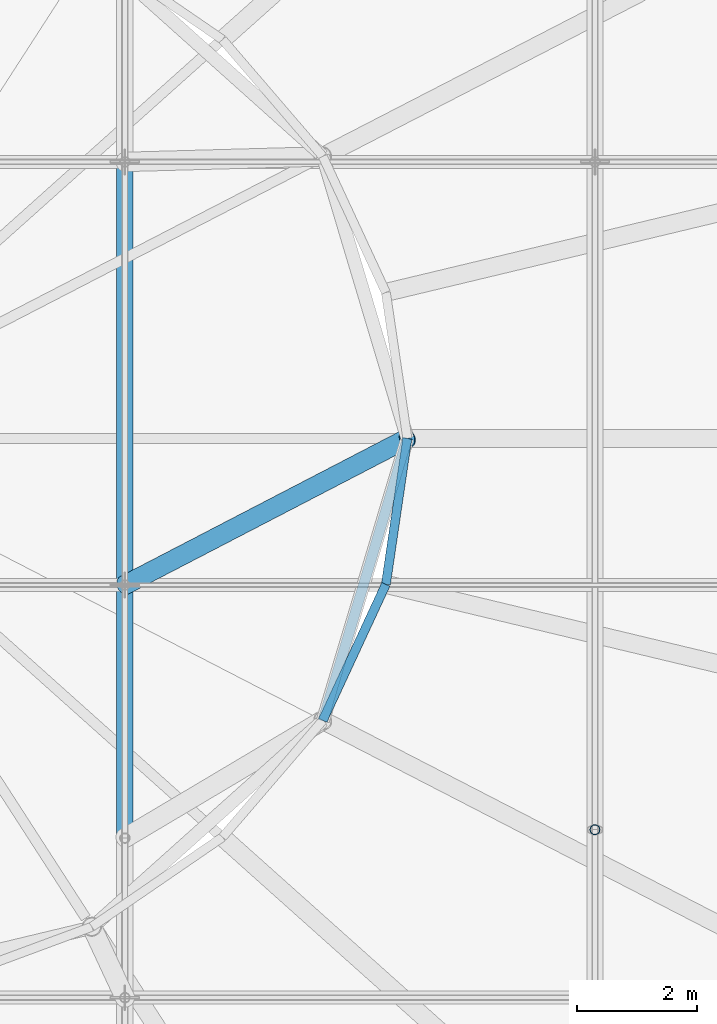
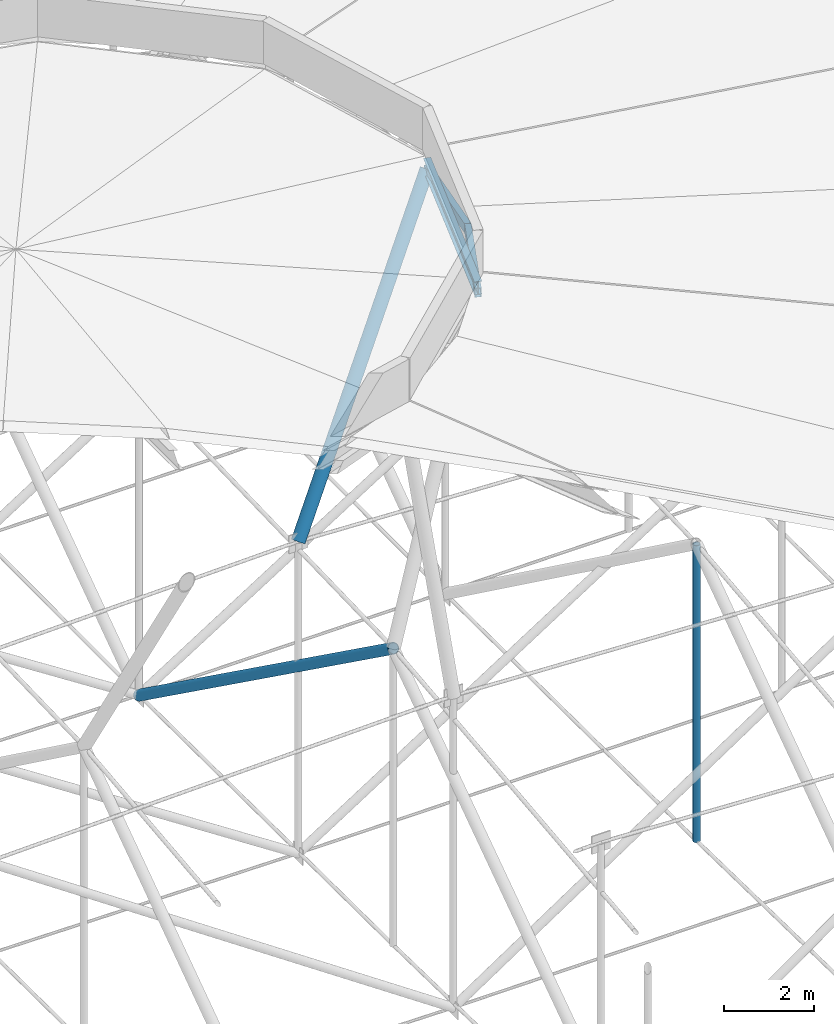
# One storey, part 57 of 173: 5 members, 1 beam.
"""IFC4 building model written with IfcOpenShell, lengths in metres."""

import ifcopenshell
import ifcopenshell.guid

model = None  # the IFC model being written
_history = None  # IfcOwnerHistory: only IFC2X3 demands one
_inside = {}  # id of a spatial element -> (the spatial element, [elements in it])
_under = {}  # id of a project, library or spatial element -> (it, [spatial elements below it])
_declared = {}  # id of a project -> (the project, [libraries it declares])
_typed = {}  # id of a type object -> (the type object, [elements of that type])
_made_of = {}  # id of a material, layer set ... -> (it, [elements and type objects made of it])


def new_model(schema):
    """Start an empty IFC model of exactly this schema.

    Asked for "IFC4X3", IfcOpenShell would pick the latest addendum, in which some entities
    have other attributes; the version numbers below select the first issue.
    IFC2X3 requires an IfcOwnerHistory on every rooted entity: one is made here for all.
    """
    global model, _history
    if schema == "IFC4X3":
        model = ifcopenshell.file(schema_version=(4, 3, 0, 0))
    else:
        model = ifcopenshell.file(schema=schema)
    _inside.clear()
    _under.clear()
    _declared.clear()
    _typed.clear()
    _made_of.clear()
    _history = None
    if model.schema == "IFC2X3":
        org = make("IfcOrganization", Name="unknown")
        user = make(
            "IfcPersonAndOrganization",
            ThePerson=make("IfcPerson", FamilyName="unknown"),
            TheOrganization=org,
        )
        app = make(
            "IfcApplication",
            ApplicationDeveloper=org,
            Version="unknown",
            ApplicationFullName="unknown",
            ApplicationIdentifier="unknown",
        )
        _history = make(
            "IfcOwnerHistory",
            OwningUser=user,
            OwningApplication=app,
            ChangeAction="ADDED",
            CreationDate=0,
        )
    return model


def make(cls, **values):
    """One entity of the class cls with the attributes given. An attribute that is None is left unset."""
    return model.create_entity(
        cls, **{name: value for name, value in values.items() if value is not None}
    )


def rooted(cls, **values):
    """An entity with a GlobalId (a new one), such as an element, a storey or a relation."""
    return make(cls, GlobalId=ifcopenshell.guid.new(), OwnerHistory=_history, **values)


def si_unit(unit_type, name, prefix=None):
    """IfcSIUnit, for example si_unit("LENGTHUNIT", "METRE", prefix="MILLI")."""
    return make("IfcSIUnit", UnitType=unit_type, Prefix=prefix, Name=name)


def assignment(units):
    """IfcUnitAssignment: the units of a project."""
    return None if units is None else make("IfcUnitAssignment", Units=units)


def point(xyz):
    """IfcCartesianPoint."""
    return None if xyz is None else make("IfcCartesianPoint", Coordinates=xyz)


def direction(xyz):
    """IfcDirection."""
    return None if xyz is None else make("IfcDirection", DirectionRatios=xyz)


def frame(location, z_axis=None, x_axis=None):
    """IfcAxis2Placement3D, a coordinate frame: its origin and axes. An axis left out is left unset."""
    return make(
        "IfcAxis2Placement3D",
        Location=point(location),
        Axis=direction(z_axis),
        RefDirection=direction(x_axis),
    )


def frame_2d(location, x_axis=None):
    """IfcAxis2Placement2D, a coordinate frame in the plane: its origin and x axis."""
    return make(
        "IfcAxis2Placement2D", Location=point(location), RefDirection=direction(x_axis)
    )


def origin():
    """The frame at (0, 0, 0) with its axes left unset."""
    return frame((0.0, 0.0, 0.0))


def origin_2d():
    """The frame at (0, 0) in the plane with its x axis left unset."""
    return frame_2d((0.0, 0.0))


def place(relative_to, where):
    """IfcLocalPlacement: puts the frame where relative to a parent placement (None: the world)."""
    return make(
        "IfcLocalPlacement", PlacementRelTo=relative_to, RelativePlacement=where
    )


def context(
    kind, dimensions, precision=None, world=None, true_north=None, identifier=None
):
    """IfcGeometricRepresentationContext, for example the 3D "Model" context."""
    return make(
        "IfcGeometricRepresentationContext",
        ContextIdentifier=identifier,
        ContextType=kind,
        CoordinateSpaceDimension=dimensions,
        Precision=precision,
        WorldCoordinateSystem=world,
        TrueNorth=true_north,
    )


def subcontext(parent, identifier, kind, view, scale=None):
    """IfcGeometricRepresentationSubContext, for example "Body" below "Model"."""
    return make(
        "IfcGeometricRepresentationSubContext",
        ContextIdentifier=identifier,
        ContextType=kind,
        ParentContext=parent,
        TargetScale=scale,
        TargetView=view,
    )


def project(units=None, contexts=None):
    """IfcProject with its units and contexts."""
    return rooted(
        "IfcProject",
        Name="project",
        RepresentationContexts=contexts,
        UnitsInContext=assignment(units),
    )


def spatial(cls, under=None, at=None, **own):
    """A site, building, storey or space (cls), placed at a placement, below another one or the project."""
    s = rooted(cls, ObjectPlacement=at, **own)
    if under is not None:
        _under.setdefault(under.id(), (under, []))[1].append(s)
    return s


def profile(cls, at=None, kind="AREA", **sizes):
    """A parametric profile (cls). Its sizes go by their IFC names, for example OverallWidth=200.0."""
    return make(cls, ProfileType=kind, Position=at, **sizes)


def hollow_rectangle(**sizes):
    """IfcRectangleHollowProfileDef."""
    return profile("IfcRectangleHollowProfileDef", **sizes)


def hollow_circle(**sizes):
    """IfcCircleHollowProfileDef."""
    return profile("IfcCircleHollowProfileDef", **sizes)


def i_section(**sizes):
    """IfcIShapeProfileDef."""
    return profile("IfcIShapeProfileDef", **sizes)


def extrude(swept, where, along, depth):
    """IfcExtrudedAreaSolid: the profile swept, set in the frame where, extruded along a direction by depth."""
    return make(
        "IfcExtrudedAreaSolid",
        SweptArea=swept,
        Position=where,
        ExtrudedDirection=direction(along),
        Depth=depth,
    )


def shape(context_of_items, identifier, shape_type, items):
    """IfcShapeRepresentation: the items that make up one representation, for example the "Body"."""
    return make(
        "IfcShapeRepresentation",
        ContextOfItems=context_of_items,
        RepresentationIdentifier=identifier,
        RepresentationType=shape_type,
        Items=items,
    )


def material(Name=None, Category=None):
    """IfcMaterial."""
    return make("IfcMaterial", Name=Name, Category=Category)


def material_profile(
    of_material, cross_section, Name=None, Category=None, Priority=None
):
    """IfcMaterialProfile: a cross section and its material."""
    return make(
        "IfcMaterialProfile",
        Name=Name,
        Material=of_material,
        Profile=cross_section,
        Priority=Priority,
        Category=Category,
    )


def profile_set(profiles, Name=None, composite=None):
    """IfcMaterialProfileSet."""
    return make(
        "IfcMaterialProfileSet",
        Name=Name,
        MaterialProfiles=profiles,
        CompositeProfile=composite,
    )


def made_of(thing, what):
    """Note that an element or type object is made of a material, layer set ...; save() writes the relation."""
    if what is not None:
        _made_of.setdefault(what.id(), (what, []))[1].append(thing)
    return thing


def type_object(cls, material=None, **own):
    """A type object (cls), such as IfcWallType, which elements share."""
    return made_of(rooted(cls, **own), material)


def element(
    cls,
    number,
    at=None,
    inside=None,
    cuts=None,
    type_object=None,
    material=None,
    context=None,
    identifier="Body",
    shape_type=None,
    held_by="IfcProductDefinitionShape",
    body=None,
    shapes=None,
    **own,
):
    """One element of the class cls, such as IfcWall. Its Tag is "e" and its number.

    at: its placement. inside: the storey or other place that contains it. cuts: it is an
    opening in that element (IfcRelVoidsElement). A single representation is given by context,
    identifier, shape_type and body (its items); several are given by shapes. held_by: the class
    of the entity that holds the representations. save() writes the other relations.
    """
    e = rooted(cls, Tag="e%d" % number, ObjectPlacement=at, **own)
    if body is not None:
        shapes = [shape(context, identifier, shape_type, body)]
    if shapes is not None:
        e.Representation = make(held_by, Representations=shapes)
    if inside is not None:
        _inside.setdefault(inside.id(), (inside, []))[1].append(e)
    if cuts is not None:
        rooted(
            "IfcRelVoidsElement", RelatingBuildingElement=cuts, RelatedOpeningElement=e
        )
    if type_object is not None:
        _typed.setdefault(type_object.id(), (type_object, []))[1].append(e)
    return made_of(e, material)


def aggregate(whole, parts):
    """IfcRelAggregates: a whole, such as a stair, and the parts it consists of."""
    return rooted("IfcRelAggregates", RelatingObject=whole, RelatedObjects=parts)


def save(model, path):
    """Write the relations noted so far, then the file.

    IfcRelAggregates (storeys below a building ...), IfcRelContainedInSpatialStructure (elements
    in a storey), IfcRelDefinesByType, IfcRelAssociatesMaterial and IfcRelDeclares: one each for
    every whole, place, type object, material and project.
    """
    for whole, parts in _under.values():
        aggregate(whole, parts)
    for where, things in _inside.values():
        rooted(
            "IfcRelContainedInSpatialStructure",
            RelatedElements=things,
            RelatingStructure=where,
        )
    for kind, things in _typed.values():
        rooted("IfcRelDefinesByType", RelatedObjects=things, RelatingType=kind)
    for what, things in _made_of.values():
        rooted("IfcRelAssociatesMaterial", RelatedObjects=things, RelatingMaterial=what)
    for by, libraries in _declared.values():
        rooted("IfcRelDeclares", RelatingContext=by, RelatedDefinitions=libraries)
    model.write(path)


model = new_model("IFC4")

# Units and contexts
model_context = context("Model", 3, precision=1e-05, world=origin(), true_north=direction((0.0, 1.0)))
body_context = subcontext(model_context, "Body", "Model", "MODEL_VIEW")
ifc_project = project(units=[si_unit("LENGTHUNIT", "METRE"), si_unit("AREAUNIT", "SQUARE_METRE"), si_unit("VOLUMEUNIT", "CUBIC_METRE"), si_unit("PLANEANGLEUNIT", "RADIAN"), si_unit("MASSUNIT", "GRAM", prefix="KILO")], contexts=[model_context])

# Site, building, storey
site_placement = place(None, origin())
site = spatial("IfcSite", under=ifc_project, at=site_placement, CompositionType="ELEMENT")
building_placement = place(site_placement, origin())
building = spatial("IfcBuilding", under=site, at=building_placement, Name="Glasvene Arena", CompositionType="ELEMENT")
storey_placement = place(building_placement, frame((0.0, 0.0, 28.800048828125)))
storey = spatial("IfcBuildingStorey", under=building, at=storey_placement, Name="RF", CompositionType="ELEMENT", Elevation=28.800048828125)

# Beam
ifc_material = material(Name="Steel S355J2", Category="steel")
ifc_material_profile_1 = material_profile(ifc_material, i_section(OverallWidth=0.17138671875, OverallDepth=0.35498046875, WebThickness=0.00732421875, FlangeThickness=0.011474609375, FilletRadius=0.01025390625, at=origin_2d()), Name="UKB 356x171x51")
ifc_profile_set_1 = profile_set([ifc_material_profile_1], Name="Steel S355J2")
beam_type = type_object("IfcBeamType", Name="BM-JOIST-356", PredefinedType="JOIST", material=ifc_profile_set_1)
beam_placement = place(storey_placement, frame((95.293212890625, 63.699951171875, 13.079833984375), z_axis=(0.286740614769, 0.958008256667, 0.0), x_axis=(-0.958008256667, 0.286740614769, 0.0)))
element("IfcBeam", 1, at=beam_placement, inside=storey, type_object=beam_type, Name="Crown lantern perimeter ring beam 12", PredefinedType="JOIST", context=body_context, shape_type="SweptSolid", body=[
    extrude(i_section(OverallWidth=0.17138671875, OverallDepth=0.35498046875, WebThickness=0.00732421875, FlangeThickness=0.011474609375, FilletRadius=0.01025390625, at=origin_2d()), origin(), (0.0, 0.0, 1.0), 4.906005859375),
])

# Members
ifc_material_profile_2 = material_profile(ifc_material, hollow_circle(Radius=0.161865234375, WallThickness=0.01611328125, at=origin_2d()), Name="CHS 323.9x16.0")
ifc_profile_set_2 = profile_set([ifc_material_profile_2], Name="Steel S355J2")
member_type_1 = type_object("IfcMemberType", Name="MB-POST-CHS324", PredefinedType="BRACE", material=ifc_profile_set_2)
member_1_placement = place(storey_placement, frame((92.0, 65.96044921875, 6.02001953125), z_axis=(0.53879713314, 0.279656171333, 0.794663498064), x_axis=(-0.460680482607, 0.887566049906, 0.0)))
element("IfcMember", 2, at=member_1_placement, inside=storey, type_object=member_type_1, Name="Petal ring 5 ridge support post 01", PredefinedType="BRACE", context=body_context, shape_type="SweptSolid", body=[
    extrude(hollow_circle(Radius=0.161865234375, WallThickness=0.01611328125, at=origin_2d()), origin(), (0.0, 0.0, 1.0), 8.72314453125),
])
ifc_material_profile_3 = material_profile(ifc_material, hollow_rectangle(XDim=0.14990234375, YDim=0.25, WallThickness=0.010009765625, at=origin_2d()), Name="RHS 250x150x10.0")
ifc_profile_set_3 = profile_set([ifc_material_profile_3], Name="Steel S355J2")
member_type_2 = type_object("IfcMemberType", Name="MB-PURLIN-RHS250", PredefinedType="PURLIN", material=ifc_profile_set_3)
member_2_placement = place(storey_placement, frame((95.293212890625, 63.70849609375, 12.951904296875), z_axis=(0.420590716374, 0.90725048873, 0.0), x_axis=(-0.90725048873, 0.420590716374, 0.0)))
element("IfcMember", 3, at=member_2_placement, inside=storey, type_object=member_type_2, Name="Petal ring 5 ridge purlin 23", PredefinedType="PURLIN", context=body_context, shape_type="SweptSolid", body=[
    extrude(hollow_rectangle(XDim=0.14990234375, YDim=0.25, WallThickness=0.010009765625, at=origin_2d()), origin(), (0.0, 0.0, 1.0), 2.494384765625),
])
member_3_placement = place(storey_placement, frame((96.34228515625, 65.971435546875, 12.951904296875), z_axis=(0.145708739583, 0.989327530805, 0.0), x_axis=(-0.989327530805, 0.145708739583, 0.0)))
element("IfcMember", 4, at=member_3_placement, inside=storey, type_object=member_type_2, Name="Petal ring 5 ridge purlin 24", PredefinedType="PURLIN", context=body_context, shape_type="SweptSolid", body=[
    extrude(hollow_rectangle(XDim=0.14990234375, YDim=0.25, WallThickness=0.010009765625, at=origin_2d()), origin(), (0.0, 0.0, 1.0), 2.45458984375),
])
ifc_material_profile_4 = material_profile(ifc_material, hollow_circle(Radius=0.084228515625, WallThickness=0.008056640625, at=origin_2d()), Name="CHS 168.3x8.0")
ifc_profile_set_4 = profile_set([ifc_material_profile_4], Name="Steel S355J2")
member_type_3 = type_object("IfcMemberType", Name="MB-WEB-CHS168", PredefinedType="BRACE", material=ifc_profile_set_4)
member_4_placement = place(storey_placement, frame((99.82177734375, 61.888427734375, -2.328125), z_axis=(0.0, 0.0, 1.0), x_axis=(1.0, 0.0, 0.0)))
element("IfcMember", 5, at=member_4_placement, inside=storey, type_object=member_type_3, Name="Cable-truss vertical strut NS04-03", PredefinedType="BRACE", context=body_context, shape_type="SweptSolid", body=[
    extrude(hollow_circle(Radius=0.084228515625, WallThickness=0.008056640625, at=origin_2d()), origin(), (0.0, 0.0, 1.0), 8.0185546875),
])
ifc_material_profile_5 = material_profile(ifc_material, hollow_circle(Radius=0.136474609375, WallThickness=0.012451171875, at=origin_2d()), Name="CHS 273.0x12.5")
ifc_profile_set_5 = profile_set([ifc_material_profile_5], Name="Steel S355J2")
member_type_4 = type_object("IfcMemberType", Name="MB-WEB-CHS273", PredefinedType="BRACE", material=ifc_profile_set_5)
member_5_placement = place(storey_placement, frame((92.0, 61.75, 5.6904296875), z_axis=(0.0, 0.81185669617, -0.583856750312), x_axis=(-1.0, 0.0, 0.0)))
element("IfcMember", 6, at=member_5_placement, inside=storey, type_object=member_type_4, Name="Cable-truss diagonal web strut NS05-04", PredefinedType="BRACE", context=body_context, shape_type="SweptSolid", body=[
    extrude(hollow_circle(Radius=0.136474609375, WallThickness=0.012451171875, at=origin_2d()), origin(), (0.0, 0.0, 1.0), 13.857177734375),
])

save(model, "model.ifc")
